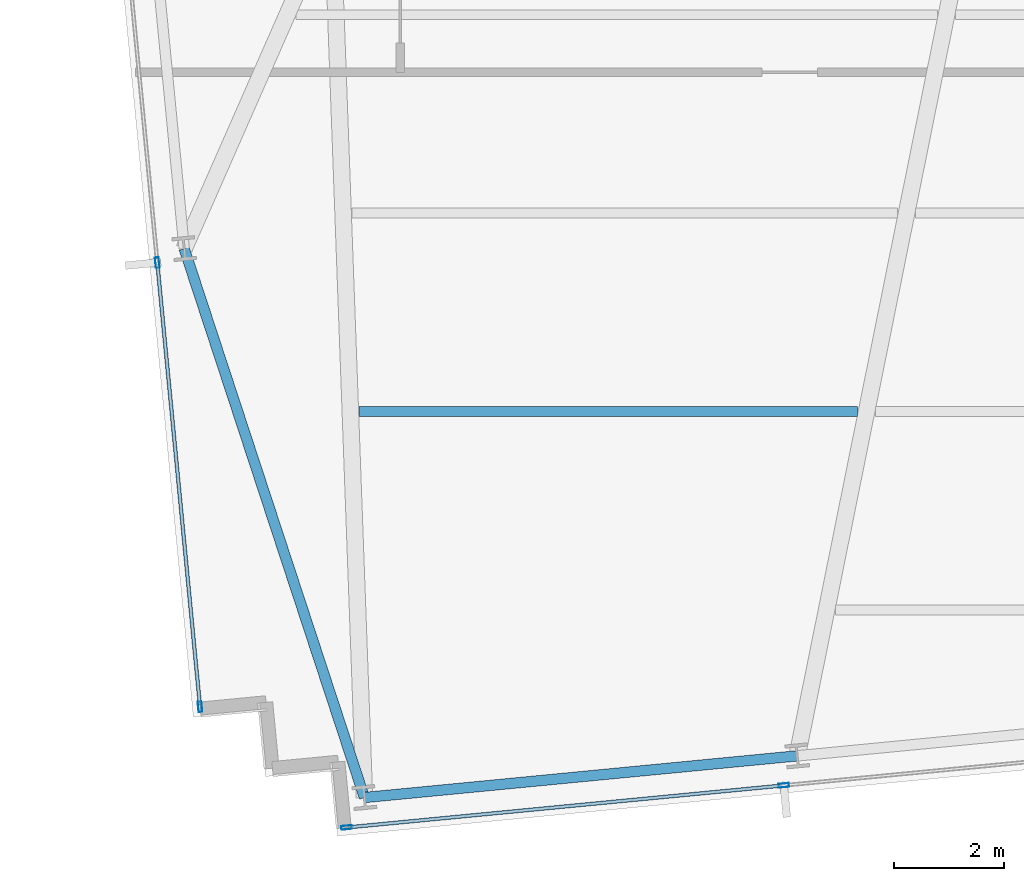
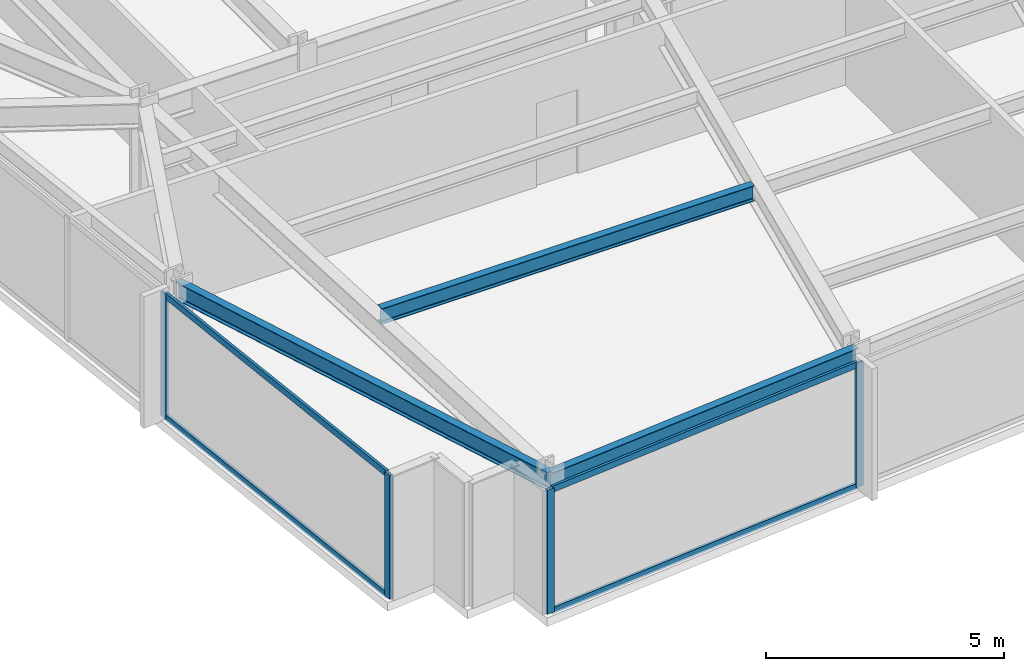
# One storey, part 2 of 32: 8 members, 3 beams, 2 elements without a shape of their own.
"""IFC4 building model written with IfcOpenShell, lengths in metres."""

from ifc_helpers import new_model, si_unit, direction, frame, origin, origin_2d, place, context, subcontext, project, spatial, hollow_rectangle, i_section, extrude, material, material_profile, profile_set, type_object, element, aggregate, save


model = new_model("IFC4")

# Units and contexts
model_context = context("Model", 3, precision=1e-05, world=origin(), true_north=direction((0.0, 1.0)))
body_context = subcontext(model_context, "Body", "Model", "MODEL_VIEW")
ifc_project = project(units=[si_unit("LENGTHUNIT", "METRE"), si_unit("AREAUNIT", "SQUARE_METRE"), si_unit("VOLUMEUNIT", "CUBIC_METRE"), si_unit("PLANEANGLEUNIT", "RADIAN"), si_unit("MASSUNIT", "GRAM", prefix="KILO")], contexts=[model_context])

# Site, building, storey
site_placement = place(None, origin())
site = spatial("IfcSite", under=ifc_project, at=site_placement, CompositionType="ELEMENT")
building_placement = place(site_placement, origin())
building = spatial("IfcBuilding", under=site, at=building_placement, Name="Yelkora Congress Tower", CompositionType="ELEMENT")
storey_placement = place(building_placement, frame((0.0, 0.0, 96.5)))
storey = spatial("IfcBuildingStorey", under=building, at=storey_placement, Name="L25", CompositionType="ELEMENT", Elevation=96.5)

# Beams
ifc_material_1 = material(Name="Steel S355J2", Category="steel")
ifc_material_profile_1 = material_profile(ifc_material_1, i_section(OverallWidth=0.179931640625, OverallDepth=0.39990234375, WebThickness=0.008544921875, FlangeThickness=0.013427734375, FilletRadius=0.02099609375, at=origin_2d()), Name="IPE 400")
ifc_profile_set_1 = profile_set([ifc_material_profile_1], Name="Steel S355J2")
beam_type_1 = type_object("IfcBeamType", Name="BM-JOIST-IPE400", PredefinedType="JOIST", material=ifc_profile_set_1)
beam_1_placement = place(storey_placement, frame((19.6904296875, 16.144287109375, 2.97998046875), z_axis=(1.0, 0.0, 0.0), x_axis=(0.0, 1.0, 0.0)))
element("IfcBeam", 1, at=beam_1_placement, inside=storey, type_object=beam_type_1, Name="L25 Composite Floor Joist 4", PredefinedType="JOIST", context=body_context, shape_type="SweptSolid", body=[
    extrude(i_section(OverallWidth=0.179931640625, OverallDepth=0.39990234375, WebThickness=0.008544921875, FlangeThickness=0.013427734375, FilletRadius=0.02099609375, at=origin_2d()), origin(), (0.0, 0.0, 1.0), 9.0439453125),
])
ifc_material_profile_2 = material_profile(ifc_material_1, i_section(OverallWidth=0.18994140625, OverallDepth=0.449951171875, WebThickness=0.009521484375, FlangeThickness=0.0146484375, FilletRadius=0.02099609375, at=origin_2d()), Name="IPE 450")
ifc_profile_set_2 = profile_set([ifc_material_profile_2], Name="Steel S355J2")
beam_type_2 = type_object("IfcBeamType", Name="BM-SPAN-IPE450", PredefinedType="SPANDREL", material=ifc_profile_set_2)
beam_2_placement = place(storey_placement, frame((16.5166015625, 19.101806640625, 2.955078125), z_axis=(0.311940628701, -0.95010159676, 0.0), x_axis=(0.95010159676, 0.311940628701, 0.0)))
element("IfcBeam", 2, at=beam_2_placement, inside=storey, type_object=beam_type_2, Name="L25 Perimeter Beam 2", PredefinedType="SPANDREL", context=body_context, shape_type="SweptSolid", body=[
    extrude(i_section(OverallWidth=0.18994140625, OverallDepth=0.449951171875, WebThickness=0.009521484375, FlangeThickness=0.0146484375, FilletRadius=0.02099609375, at=origin_2d()), origin(), (0.0, 0.0, 1.0), 10.48046875),
])
beam_3_placement = place(storey_placement, frame((19.785888671875, 9.144287109375, 2.955078125), z_axis=(0.995395860104, 0.095849265454, 0.0), x_axis=(-0.095849265454, 0.995395860104, 0.0)))
element("IfcBeam", 3, at=beam_3_placement, inside=storey, type_object=beam_type_2, Name="L25 Perimeter Beam 3", PredefinedType="SPANDREL", context=body_context, shape_type="SweptSolid", body=[
    extrude(i_section(OverallWidth=0.18994140625, OverallDepth=0.449951171875, WebThickness=0.009521484375, FlangeThickness=0.0146484375, FilletRadius=0.02099609375, at=origin_2d()), origin(), (0.0, 0.0, 1.0), 7.885986328125),
])

# Curtain wall, members
ifc_material_2 = material(Name="Anodised aluminium and insulated glass", Category="aluminium")
curtain_wall_type = type_object("IfcCurtainWallType", Name="CW-SYS-B2", PredefinedType="NOTDEFINED", material=ifc_material_2)
curtain_wall_1_placement = place(storey_placement, origin())
curtain_wall_1 = element("IfcCurtainWall", 4, at=curtain_wall_1_placement, inside=storey, type_object=curtain_wall_type, Name="L25 Unitised Curtain Wall 5", PredefinedType="NOTDEFINED")
ifc_material_3 = material(Name="Anodised aluminium 6063-T6", Category="aluminium")
ifc_material_profile_3 = material_profile(ifc_material_3, hollow_rectangle(XDim=0.070068359375, YDim=0.18994140625, WallThickness=0.00390625, at=origin_2d()), Name="ALU 70x190x4")
ifc_profile_set_3 = profile_set([ifc_material_profile_3], Name="Anodised aluminium 6063-T6")
member_type_1 = type_object("IfcMemberType", Name="MEM-ML-B2", PredefinedType="MULLION", material=ifc_profile_set_3)
member_1_placement = place(storey_placement, frame((16.804443359375, 10.791259765625, 0.0), z_axis=(0.0, 0.0, 1.0), x_axis=(-0.995396507508, -0.095842541913, 0.0)))
member_1 = element("IfcMember", 5, at=member_1_placement, type_object=member_type_1, Name="CW-B2 mullion 1", PredefinedType="MULLION", context=body_context, shape_type="SweptSolid", body=[
    extrude(hollow_rectangle(XDim=0.070068359375, YDim=0.18994140625, WallThickness=0.00390625, at=origin_2d()), origin(), (0.0, 0.0, 1.0), 3.179931640625),
])
member_2_placement = place(storey_placement, frame((16.028564453125, 18.848876953125, 0.0), z_axis=(0.0, 0.0, 1.0), x_axis=(-0.995396507508, -0.095842541913, 0.0)))
member_2 = element("IfcMember", 6, at=member_2_placement, type_object=member_type_1, Name="CW-B2 mullion 2", PredefinedType="MULLION", context=body_context, shape_type="SweptSolid", body=[
    extrude(hollow_rectangle(XDim=0.070068359375, YDim=0.18994140625, WallThickness=0.00390625, at=origin_2d()), origin(), (0.0, 0.0, 1.0), 3.179931640625),
])

curtain_wall_2_placement = place(storey_placement, origin())
curtain_wall_2 = element("IfcCurtainWall", 7, at=curtain_wall_2_placement, inside=storey, type_object=curtain_wall_type, Name="L25 Unitised Curtain Wall 20", PredefinedType="NOTDEFINED")
member_3_placement = place(storey_placement, frame((27.392822265625, 9.364501953125, 0.0), z_axis=(0.0, 0.0, 1.0), x_axis=(0.095844345816, -0.995396333816, 0.0)))
member_3 = element("IfcMember", 8, at=member_3_placement, type_object=member_type_1, Name="CW-B2 mullion 7", PredefinedType="MULLION", context=body_context, shape_type="SweptSolid", body=[
    extrude(hollow_rectangle(XDim=0.070068359375, YDim=0.18994140625, WallThickness=0.00390625, at=origin_2d()), origin(), (0.0, 0.0, 1.0), 3.179931640625),
])
member_4_placement = place(storey_placement, frame((19.46142578125, 8.600830078125, 0.0), z_axis=(0.0, 0.0, 1.0), x_axis=(0.095844345816, -0.995396333816, 0.0)))
member_4 = element("IfcMember", 9, at=member_4_placement, type_object=member_type_1, Name="CW-B2 mullion 8", PredefinedType="MULLION", context=body_context, shape_type="SweptSolid", body=[
    extrude(hollow_rectangle(XDim=0.070068359375, YDim=0.18994140625, WallThickness=0.00390625, at=origin_2d()), origin(), (0.0, 0.0, 1.0), 3.179931640625),
])

# Member
ifc_material_profile_4 = material_profile(ifc_material_3, hollow_rectangle(XDim=0.06494140625, YDim=0.159912109375, WallThickness=0.00390625, at=origin_2d()), Name="ALU 65x160x4")
ifc_profile_set_4 = profile_set([ifc_material_profile_4], Name="Anodised aluminium 6063-T6")
member_type_2 = type_object("IfcMemberType", Name="MEM-TR-B2", PredefinedType="USERDEFINED", material=ifc_profile_set_4)
member_5_placement = place(storey_placement, frame((16.801025390625, 10.826171875, 0.032470703125), z_axis=(-0.095861385662, 0.995394692943, 0.0), x_axis=(-0.995394692943, -0.095861385662, 0.0)))
member_5 = element("IfcMember", 10, at=member_5_placement, type_object=member_type_2, Name="CW-B2 transom 1.1", ObjectType="TRANSOM", PredefinedType="USERDEFINED", context=body_context, shape_type="SweptSolid", body=[
    extrude(hollow_rectangle(XDim=0.06494140625, YDim=0.159912109375, WallThickness=0.00390625, at=origin_2d()), origin(), (0.0, 0.0, 1.0), 8.02490234375),
])

member_6_placement = place(storey_placement, frame((16.801025390625, 10.826171875, 3.1474609375), z_axis=(-0.095861385662, 0.995394692943, 0.0), x_axis=(-0.995394692943, -0.095861385662, 0.0)))
member_6 = element("IfcMember", 11, at=member_6_placement, type_object=member_type_2, Name="CW-B2 transom 1.2", ObjectType="TRANSOM", PredefinedType="USERDEFINED", context=body_context, shape_type="SweptSolid", body=[
    extrude(hollow_rectangle(XDim=0.06494140625, YDim=0.159912109375, WallThickness=0.00390625, at=origin_2d()), origin(), (0.0, 0.0, 1.0), 8.02490234375),
])

aggregate(curtain_wall_1, [member_1, member_2, member_5, member_6])

member_7_placement = place(storey_placement, frame((27.35791015625, 9.361083984375, 0.032470703125), z_axis=(-0.995397978421, -0.095827264157, 0.0), x_axis=(0.095827264157, -0.995397978421, 0.0)))
member_7 = element("IfcMember", 12, at=member_7_placement, type_object=member_type_2, Name="CW-B2 transom 7.1", ObjectType="TRANSOM", PredefinedType="USERDEFINED", context=body_context, shape_type="SweptSolid", body=[
    extrude(hollow_rectangle(XDim=0.06494140625, YDim=0.159912109375, WallThickness=0.00390625, at=origin_2d()), origin(), (0.0, 0.0, 1.0), 7.89794921875),
])

member_8_placement = place(storey_placement, frame((27.35791015625, 9.361083984375, 3.1474609375), z_axis=(-0.995397978421, -0.095827264157, 0.0), x_axis=(0.095827264157, -0.995397978421, 0.0)))
member_8 = element("IfcMember", 13, at=member_8_placement, type_object=member_type_2, Name="CW-B2 transom 7.2", ObjectType="TRANSOM", PredefinedType="USERDEFINED", context=body_context, shape_type="SweptSolid", body=[
    extrude(hollow_rectangle(XDim=0.06494140625, YDim=0.159912109375, WallThickness=0.00390625, at=origin_2d()), origin(), (0.0, 0.0, 1.0), 7.89794921875),
])

aggregate(curtain_wall_2, [member_3, member_4, member_7, member_8])

save(model, "model.ifc")
